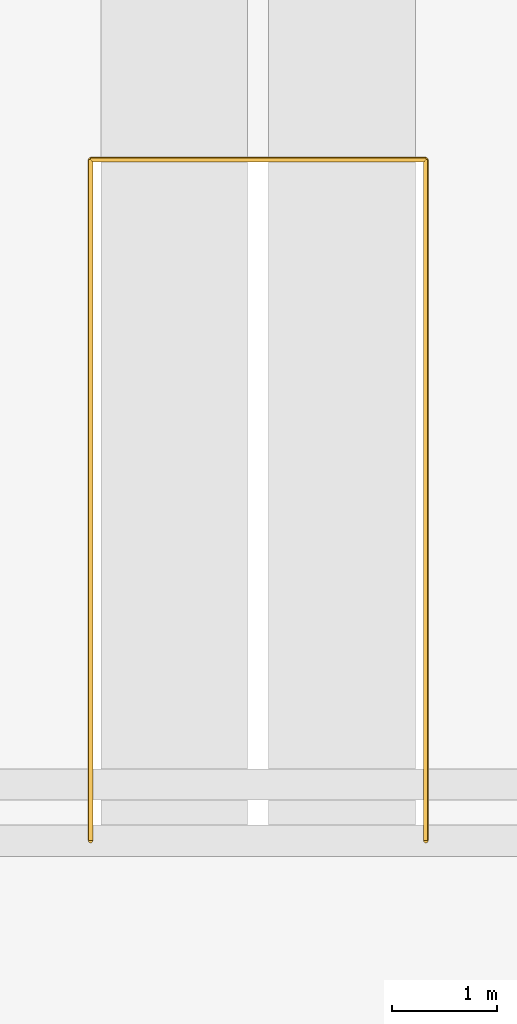
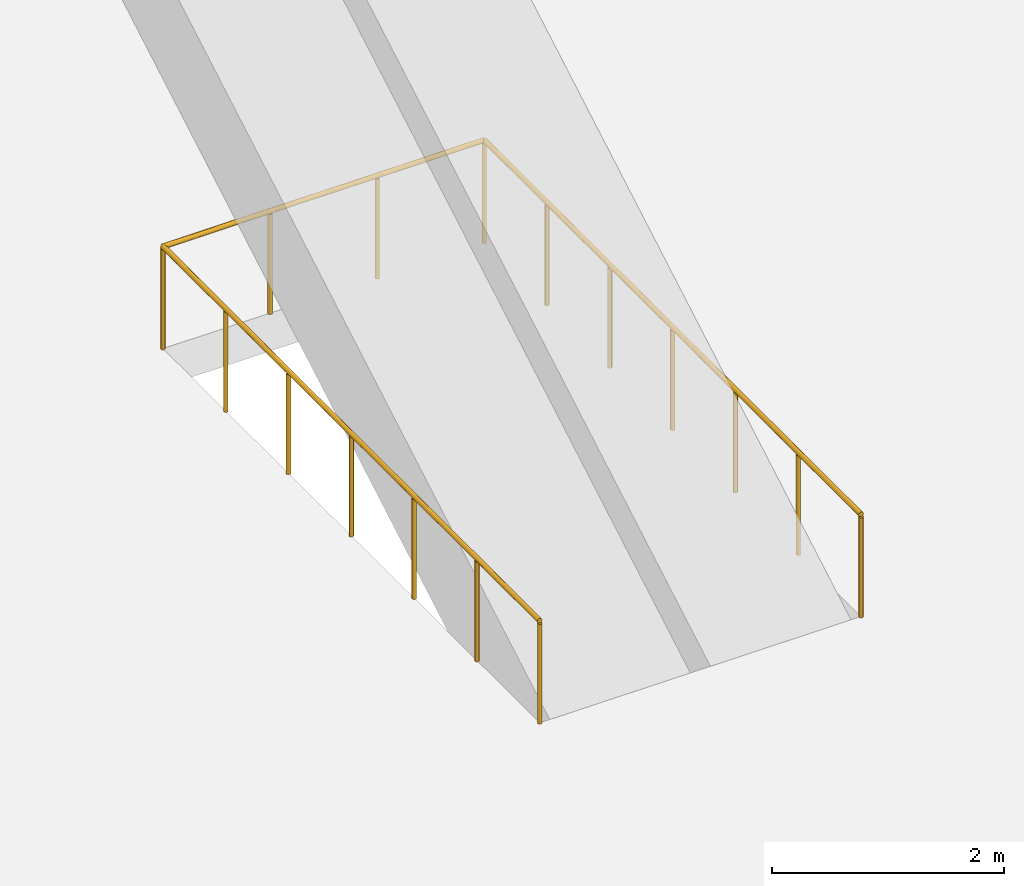
# One storey, part 21 of 26: 1 railing.
"""IFC4 building model written with IfcOpenShell, lengths in metres."""

from ifc_helpers import new_model, si_unit, direction, frame, origin, origin_2d, place, context, subcontext, project, spatial, circle, extrude, material, type_object, element, save


model = new_model("IFC4")

# Units and contexts
model_context = context("Model", 3, precision=1e-05, world=origin(), true_north=direction((0.0, 1.0)))
body_context = subcontext(model_context, "Body", "Model", "MODEL_VIEW")
ifc_project = project(units=[si_unit("LENGTHUNIT", "METRE"), si_unit("AREAUNIT", "SQUARE_METRE"), si_unit("VOLUMEUNIT", "CUBIC_METRE"), si_unit("PLANEANGLEUNIT", "RADIAN"), si_unit("MASSUNIT", "GRAM", prefix="KILO")], contexts=[model_context])

# Site, building, storey
site_placement = place(None, origin())
site = spatial("IfcSite", under=ifc_project, at=site_placement, CompositionType="ELEMENT")
building_placement = place(site_placement, origin())
building = spatial("IfcBuilding", under=site, at=building_placement, Name="Tel Ilan Convention Tower", CompositionType="ELEMENT")
storey_placement = place(building_placement, frame((0.0, 0.0, 32.0)))
storey = spatial("IfcBuildingStorey", under=building, at=storey_placement, Name="L04", CompositionType="ELEMENT", Elevation=32.0)

# Railing
ifc_material = material(Name="Stainless Steel Grade 316", Category="steel")
railing_type = type_object("IfcRailingType", Name="Stainless Steel Escalator Opening Guard 1100 mm", PredefinedType="GUARDRAIL", material=ifc_material)
railing_placement = place(storey_placement, frame((-1.60009765625, -48.535888671875, 0.0)))
element("IfcRailing", 1, at=railing_placement, inside=storey, type_object=railing_type, Name="L04 escalator opening guard", PredefinedType="GUARDRAIL", context=body_context, shape_type="SweptSolid", body=[
    extrude(circle(Radius=0.02392578125, at=origin_2d()), frame((0.0, 0.0, 1.076171875), z_axis=(0.0, 1.0, 0.0), x_axis=(-1.0, 0.0, 0.0)), (0.0, 0.0, 1.0), 6.5),
    extrude(circle(Radius=0.02392578125, at=origin_2d()), frame((0.0, 6.5, 1.076171875), z_axis=(1.0, 0.0, 0.0), x_axis=(0.0, 1.0, 0.0)), (0.0, 0.0, 1.0), 3.2001953125),
    extrude(circle(Radius=0.02392578125, at=origin_2d()), frame((3.2001953125, 6.5, 1.076171875), z_axis=(0.0, -1.0, 0.0), x_axis=(1.0, 0.0, 0.0)), (0.0, 0.0, 1.0), 6.5),
    extrude(circle(Radius=0.02099609375, at=origin_2d()), origin(), (0.0, 0.0, 1.0), 1.052001953125),
    extrude(circle(Radius=0.02099609375, at=origin_2d()), frame((0.0, 1.083251953125, 0.0)), (0.0, 0.0, 1.0), 1.052001953125),
    extrude(circle(Radius=0.02099609375, at=origin_2d()), frame((0.0, 2.166748046875, 0.0)), (0.0, 0.0, 1.0), 1.052001953125),
    extrude(circle(Radius=0.02099609375, at=origin_2d()), frame((0.0, 3.25, 0.0)), (0.0, 0.0, 1.0), 1.052001953125),
    extrude(circle(Radius=0.02099609375, at=origin_2d()), frame((0.0, 4.333251953125, 0.0)), (0.0, 0.0, 1.0), 1.052001953125),
    extrude(circle(Radius=0.02099609375, at=origin_2d()), frame((0.0, 5.416748046875, 0.0)), (0.0, 0.0, 1.0), 1.052001953125),
    extrude(circle(Radius=0.02099609375, at=origin_2d()), frame((0.0, 6.5, 0.0)), (0.0, 0.0, 1.0), 1.052001953125),
    extrude(circle(Radius=0.02099609375, at=origin_2d()), frame((1.066650390625, 6.5, 0.0)), (0.0, 0.0, 1.0), 1.052001953125),
    extrude(circle(Radius=0.02099609375, at=origin_2d()), frame((2.133544921875, 6.5, 0.0)), (0.0, 0.0, 1.0), 1.052001953125),
    extrude(circle(Radius=0.02099609375, at=origin_2d()), frame((3.2001953125, 6.5, 0.0)), (0.0, 0.0, 1.0), 1.052001953125),
    extrude(circle(Radius=0.02099609375, at=origin_2d()), frame((3.2001953125, 5.416748046875, 0.0)), (0.0, 0.0, 1.0), 1.052001953125),
    extrude(circle(Radius=0.02099609375, at=origin_2d()), frame((3.2001953125, 4.333251953125, 0.0)), (0.0, 0.0, 1.0), 1.052001953125),
    extrude(circle(Radius=0.02099609375, at=origin_2d()), frame((3.2001953125, 3.25, 0.0)), (0.0, 0.0, 1.0), 1.052001953125),
    extrude(circle(Radius=0.02099609375, at=origin_2d()), frame((3.2001953125, 2.166748046875, 0.0)), (0.0, 0.0, 1.0), 1.052001953125),
    extrude(circle(Radius=0.02099609375, at=origin_2d()), frame((3.2001953125, 1.083251953125, 0.0)), (0.0, 0.0, 1.0), 1.052001953125),
    extrude(circle(Radius=0.02099609375, at=origin_2d()), frame((3.2001953125, 0.0, 0.0)), (0.0, 0.0, 1.0), 1.052001953125),
])

save(model, "model.ifc")
